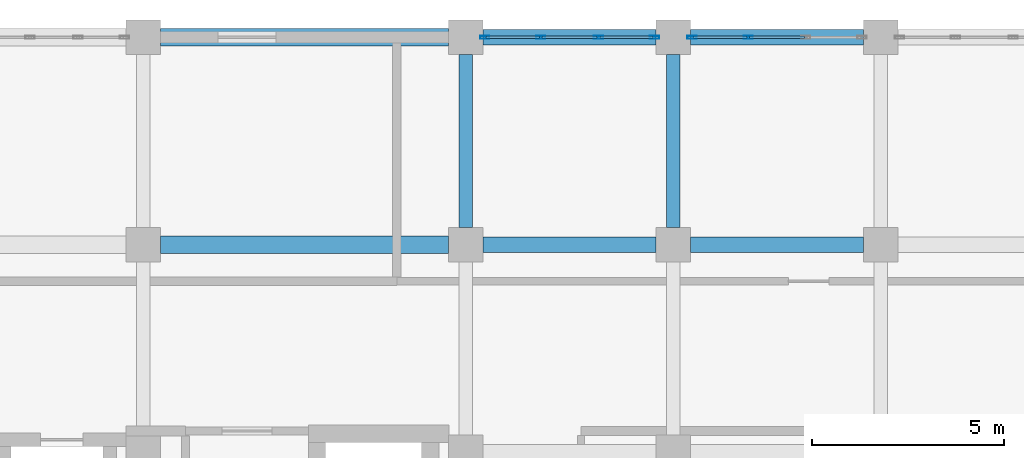
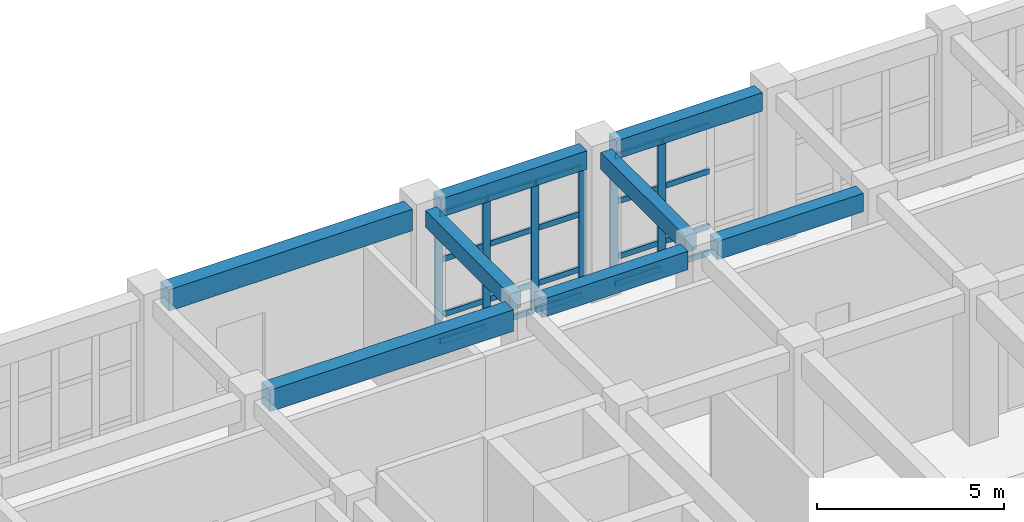
# One storey, part 64 of 106: 26 members, 8 beams, 2 elements without a shape of their own.
"""IFC4 building model written with IfcOpenShell, lengths in metres."""

from ifc_helpers import new_model, si_unit, direction, frame, origin, origin_2d, place, context, subcontext, project, spatial, rectangle, hollow_rectangle, extrude, material, layer, layer_set, material_profile, profile_set, type_object, element, aggregate, save


model = new_model("IFC4")

# Units and contexts
model_context = context("Model", 3, precision=1e-05, world=origin(), true_north=direction((0.0, 1.0)))
body_context = subcontext(model_context, "Body", "Model", "MODEL_VIEW")
ifc_project = project(units=[si_unit("LENGTHUNIT", "METRE"), si_unit("AREAUNIT", "SQUARE_METRE"), si_unit("VOLUMEUNIT", "CUBIC_METRE"), si_unit("PLANEANGLEUNIT", "RADIAN"), si_unit("MASSUNIT", "GRAM", prefix="KILO")], contexts=[model_context])

# Site, building, storey
site_placement = place(None, origin())
site = spatial("IfcSite", under=ifc_project, at=site_placement, CompositionType="ELEMENT")
building_placement = place(site_placement, origin())
building = spatial("IfcBuilding", under=site, at=building_placement, Name="Krzemoval Escarpment Law Courts", CompositionType="ELEMENT")
storey_placement = place(building_placement, frame((0.0, 0.0, 5.10009765625)))
storey = spatial("IfcBuildingStorey", under=building, at=storey_placement, Name="L01", CompositionType="ELEMENT", Elevation=5.10009765625)

# Beams
ifc_material_1 = material(Name="Concrete C40/50", Category="concrete")
ifc_material_profile_1 = material_profile(ifc_material_1, rectangle(XDim=0.35009765625, YDim=0.550048828125, at=origin_2d()), Name="RCB 350x550")
ifc_profile_set_1 = profile_set([ifc_material_profile_1], Name="Concrete C40/50")
beam_type_1 = type_object("IfcBeamType", Name="BM-RC-350x550", PredefinedType="BEAM", material=ifc_profile_set_1)
for number, where, z_axis, x_axis, name in (
    (1, (151.199951171875, 113.85009765625, 4.544921875), (0.0, 1.0, 0.0), (-1.0, 0.0, 0.0), "Beam FG-L01-1563"),
    (2, (156.60009765625, 113.85009765625, 4.544921875), (0.0, 1.0, 0.0), (-1.0, 0.0, 0.0), "Beam FG-L01-1571"),
):
    element("IfcBeam", number, at=place(storey_placement, frame(where, z_axis=z_axis, x_axis=x_axis)), inside=storey, type_object=beam_type_1, Name=name, PredefinedType="BEAM", context=body_context, shape_type="SweptSolid", body=[
        extrude(rectangle(XDim=0.35009765625, YDim=0.550048828125, at=origin_2d()), origin(), (0.0, 0.0, 1.0), 4.5),
    ])
ifc_material_2 = material(Name="Concrete C40/50", Category="concrete")
ifc_material_profile_2 = material_profile(ifc_material_2, rectangle(XDim=0.39990234375, YDim=0.60009765625, at=origin_2d()), Name="RCB 400x600")
ifc_profile_set_2 = profile_set([ifc_material_profile_2], Name="Concrete C40/50")
beam_type_2 = type_object("IfcBeamType", Name="BM-RC-400x600", PredefinedType="BEAM", material=ifc_profile_set_2)
for number, where, z_axis, x_axis, name in (
    (3, (151.64990234375, 113.39990234375, 4.52001953125), (1.0, 0.0, 0.0), (0.0, 1.0, 0.0), "Beam FG-L01-1355"),
    (4, (157.050048828125, 113.39990234375, 4.52001953125), (1.0, 0.0, 0.0), (0.0, 1.0, 0.0), "Beam FG-L01-1356"),
    (5, (151.64990234375, 118.800048828125, 4.52001953125), (1.0, 0.0, 0.0), (0.0, 1.0, 0.0), "Beam FG-L01-1367"),
    (6, (157.050048828125, 118.800048828125, 4.52001953125), (1.0, 0.0, 0.0), (0.0, 1.0, 0.0), "Beam FG-L01-1368"),
):
    element("IfcBeam", number, at=place(storey_placement, frame(where, z_axis=z_axis, x_axis=x_axis)), inside=storey, type_object=beam_type_2, Name=name, PredefinedType="BEAM", context=body_context, shape_type="SweptSolid", body=[
        extrude(rectangle(XDim=0.39990234375, YDim=0.60009765625, at=origin_2d()), origin(), (0.0, 0.0, 1.0), 4.5),
    ])
ifc_material_3 = material(Name="Concrete C40/50", Category="concrete")
ifc_material_profile_3 = material_profile(ifc_material_3, rectangle(XDim=0.449951171875, YDim=0.699951171875, at=origin_2d()), Name="RCB 450x700")
ifc_profile_set_3 = profile_set([ifc_material_profile_3], Name="Concrete C40/50")
beam_type_3 = type_object("IfcBeamType", Name="BM-RC-450x700", PredefinedType="BEAM", material=ifc_profile_set_3)
for number, where, z_axis, x_axis, name in (
    (7, (143.25, 113.39990234375, 4.469970703125), (1.0, 0.0, 0.0), (0.0, 1.0, 0.0), "Beam FG-L01-1354"),
    (8, (143.25, 118.800048828125, 4.469970703125), (1.0, 0.0, 0.0), (0.0, 1.0, 0.0), "Beam FG-L01-1366"),
):
    element("IfcBeam", number, at=place(storey_placement, frame(where, z_axis=z_axis, x_axis=x_axis)), inside=storey, type_object=beam_type_3, Name=name, PredefinedType="BEAM", context=body_context, shape_type="SweptSolid", body=[
        extrude(rectangle(XDim=0.449951171875, YDim=0.699951171875, at=origin_2d()), origin(), (0.0, 0.0, 1.0), 7.5),
    ])

# Curtain wall, members
ifc_material_4 = material(Name="Aluminium 6063-T6", Category="aluminium")
ifc_layer = layer(ifc_material_4, 0.239990234375)
ifc_layer_set = layer_set([ifc_layer], Name="Aluminium 6063-T6")
curtain_wall_type = type_object("IfcCurtainWallType", Name="CW-CHMB-4800", PredefinedType="USERDEFINED", material=ifc_layer_set)
curtain_wall_1_placement = place(storey_placement, origin())
curtain_wall_1 = element("IfcCurtainWall", 9, at=curtain_wall_1_placement, inside=storey, type_object=curtain_wall_type, Name="Unitised Curtain Wall FCW-L01-034", ObjectType="UNITISED_CURTAIN_WALL", PredefinedType="USERDEFINED")
ifc_material_5 = material(Name="Aluminium 6063-T6", Category="aluminium")
ifc_material_profile_4 = material_profile(ifc_material_5, hollow_rectangle(XDim=0.074951171875, YDim=0.239990234375, WallThickness=0.0048828125, at=origin_2d()), Name="ALU M75x240")
ifc_profile_set_4 = profile_set([ifc_material_profile_4], Name="Aluminium 6063-T6")
member_type_1 = type_object("IfcMemberType", Name="CWM-75x240", PredefinedType="MULLION", material=ifc_profile_set_4)
member_1_placement = place(storey_placement, frame((151.6875, 118.800048828125, 0.0), z_axis=(0.0, 0.0, 1.0), x_axis=(0.0, 1.0, 0.0)))
member_1 = element("IfcMember", 10, at=member_1_placement, type_object=member_type_1, Name="FCW-L01-034 mullion 1", PredefinedType="MULLION", context=body_context, shape_type="SweptSolid", body=[
    extrude(hollow_rectangle(XDim=0.074951171875, YDim=0.239990234375, WallThickness=0.0048828125, at=origin_2d()), origin(), (0.0, 0.0, 1.0), 4.219970703125),
])
member_2_placement = place(storey_placement, frame((153.14990234375, 118.800048828125, 0.0), z_axis=(0.0, 0.0, 1.0), x_axis=(0.0, 1.0, 0.0)))
member_2 = element("IfcMember", 11, at=member_2_placement, type_object=member_type_1, Name="FCW-L01-034 mullion 2", PredefinedType="MULLION", context=body_context, shape_type="SweptSolid", body=[
    extrude(hollow_rectangle(XDim=0.074951171875, YDim=0.239990234375, WallThickness=0.0048828125, at=origin_2d()), origin(), (0.0, 0.0, 1.0), 4.219970703125),
])
member_3_placement = place(storey_placement, frame((154.64990234375, 118.800048828125, 0.0), z_axis=(0.0, 0.0, 1.0), x_axis=(0.0, 1.0, 0.0)))
member_3 = element("IfcMember", 12, at=member_3_placement, type_object=member_type_1, Name="FCW-L01-034 mullion 3", PredefinedType="MULLION", context=body_context, shape_type="SweptSolid", body=[
    extrude(hollow_rectangle(XDim=0.074951171875, YDim=0.239990234375, WallThickness=0.0048828125, at=origin_2d()), origin(), (0.0, 0.0, 1.0), 4.219970703125),
])
member_4_placement = place(storey_placement, frame((156.112548828125, 118.800048828125, 0.0), z_axis=(0.0, 0.0, 1.0), x_axis=(0.0, 1.0, 0.0)))
member_4 = element("IfcMember", 13, at=member_4_placement, type_object=member_type_1, Name="FCW-L01-034 mullion 4", PredefinedType="MULLION", context=body_context, shape_type="SweptSolid", body=[
    extrude(hollow_rectangle(XDim=0.074951171875, YDim=0.239990234375, WallThickness=0.0048828125, at=origin_2d()), origin(), (0.0, 0.0, 1.0), 4.219970703125),
])

curtain_wall_2_placement = place(storey_placement, origin())
curtain_wall_2 = element("IfcCurtainWall", 14, at=curtain_wall_2_placement, inside=storey, type_object=curtain_wall_type, Name="Unitised Curtain Wall FCW-L01-035", ObjectType="UNITISED_CURTAIN_WALL", PredefinedType="USERDEFINED")
member_5_placement = place(storey_placement, frame((157.08740234375, 118.800048828125, 0.0), z_axis=(0.0, 0.0, 1.0), x_axis=(0.0, 1.0, 0.0)))
member_5 = element("IfcMember", 15, at=member_5_placement, type_object=member_type_1, Name="FCW-L01-035 mullion 1", PredefinedType="MULLION", context=body_context, shape_type="SweptSolid", body=[
    extrude(hollow_rectangle(XDim=0.074951171875, YDim=0.239990234375, WallThickness=0.0048828125, at=origin_2d()), origin(), (0.0, 0.0, 1.0), 4.219970703125),
])
member_6_placement = place(storey_placement, frame((158.550048828125, 118.800048828125, 0.0), z_axis=(0.0, 0.0, 1.0), x_axis=(0.0, 1.0, 0.0)))
member_6 = element("IfcMember", 16, at=member_6_placement, type_object=member_type_1, Name="FCW-L01-035 mullion 2", PredefinedType="MULLION", context=body_context, shape_type="SweptSolid", body=[
    extrude(hollow_rectangle(XDim=0.074951171875, YDim=0.239990234375, WallThickness=0.0048828125, at=origin_2d()), origin(), (0.0, 0.0, 1.0), 4.219970703125),
])

# Member
ifc_material_6 = material(Name="Aluminium 6063-T6", Category="aluminium")
ifc_material_profile_5 = material_profile(ifc_material_6, hollow_rectangle(XDim=0.074951171875, YDim=0.179931640625, WallThickness=0.0048828125, at=origin_2d()), Name="ALU T75x180")
ifc_profile_set_5 = profile_set([ifc_material_profile_5], Name="Aluminium 6063-T6")
member_type_2 = type_object("IfcMemberType", Name="CWT-75x180", PredefinedType="USERDEFINED", material=ifc_profile_set_5)
member_7_placement = place(storey_placement, frame((151.72509765625, 118.800048828125, 0.037353515625), z_axis=(1.0, 0.0, 0.0), x_axis=(0.0, 1.0, 0.0)))
member_7 = element("IfcMember", 17, at=member_7_placement, type_object=member_type_2, Name="FCW-L01-034 transom 1.1", ObjectType="TRANSOM", PredefinedType="USERDEFINED", context=body_context, shape_type="SweptSolid", body=[
    extrude(hollow_rectangle(XDim=0.074951171875, YDim=0.179931640625, WallThickness=0.0048828125, at=origin_2d()), origin(), (0.0, 0.0, 1.0), 1.387451171875),
])

member_8_placement = place(storey_placement, frame((151.72509765625, 118.800048828125, 0.89990234375), z_axis=(1.0, 0.0, 0.0), x_axis=(0.0, 1.0, 0.0)))
member_8 = element("IfcMember", 18, at=member_8_placement, type_object=member_type_2, Name="FCW-L01-034 transom 1.2", ObjectType="TRANSOM", PredefinedType="USERDEFINED", context=body_context, shape_type="SweptSolid", body=[
    extrude(hollow_rectangle(XDim=0.074951171875, YDim=0.179931640625, WallThickness=0.0048828125, at=origin_2d()), origin(), (0.0, 0.0, 1.0), 1.387451171875),
])

member_9_placement = place(storey_placement, frame((151.72509765625, 118.800048828125, 2.699951171875), z_axis=(1.0, 0.0, 0.0), x_axis=(0.0, 1.0, 0.0)))
member_9 = element("IfcMember", 19, at=member_9_placement, type_object=member_type_2, Name="FCW-L01-034 transom 1.3", ObjectType="TRANSOM", PredefinedType="USERDEFINED", context=body_context, shape_type="SweptSolid", body=[
    extrude(hollow_rectangle(XDim=0.074951171875, YDim=0.179931640625, WallThickness=0.0048828125, at=origin_2d()), origin(), (0.0, 0.0, 1.0), 1.387451171875),
])

member_10_placement = place(storey_placement, frame((151.72509765625, 118.800048828125, 4.182373046875), z_axis=(1.0, 0.0, 0.0), x_axis=(0.0, 1.0, 0.0)))
member_10 = element("IfcMember", 20, at=member_10_placement, type_object=member_type_2, Name="FCW-L01-034 transom 1.4", ObjectType="TRANSOM", PredefinedType="USERDEFINED", context=body_context, shape_type="SweptSolid", body=[
    extrude(hollow_rectangle(XDim=0.074951171875, YDim=0.179931640625, WallThickness=0.0048828125, at=origin_2d()), origin(), (0.0, 0.0, 1.0), 1.387451171875),
])

member_11_placement = place(storey_placement, frame((153.1875, 118.800048828125, 0.037353515625), z_axis=(1.0, 0.0, 0.0), x_axis=(0.0, 1.0, 0.0)))
member_11 = element("IfcMember", 21, at=member_11_placement, type_object=member_type_2, Name="FCW-L01-034 transom 2.1", ObjectType="TRANSOM", PredefinedType="USERDEFINED", context=body_context, shape_type="SweptSolid", body=[
    extrude(hollow_rectangle(XDim=0.074951171875, YDim=0.179931640625, WallThickness=0.0048828125, at=origin_2d()), origin(), (0.0, 0.0, 1.0), 1.425048828125),
])

member_12_placement = place(storey_placement, frame((153.1875, 118.800048828125, 0.89990234375), z_axis=(1.0, 0.0, 0.0), x_axis=(0.0, 1.0, 0.0)))
member_12 = element("IfcMember", 22, at=member_12_placement, type_object=member_type_2, Name="FCW-L01-034 transom 2.2", ObjectType="TRANSOM", PredefinedType="USERDEFINED", context=body_context, shape_type="SweptSolid", body=[
    extrude(hollow_rectangle(XDim=0.074951171875, YDim=0.179931640625, WallThickness=0.0048828125, at=origin_2d()), origin(), (0.0, 0.0, 1.0), 1.425048828125),
])

member_13_placement = place(storey_placement, frame((153.1875, 118.800048828125, 2.699951171875), z_axis=(1.0, 0.0, 0.0), x_axis=(0.0, 1.0, 0.0)))
member_13 = element("IfcMember", 23, at=member_13_placement, type_object=member_type_2, Name="FCW-L01-034 transom 2.3", ObjectType="TRANSOM", PredefinedType="USERDEFINED", context=body_context, shape_type="SweptSolid", body=[
    extrude(hollow_rectangle(XDim=0.074951171875, YDim=0.179931640625, WallThickness=0.0048828125, at=origin_2d()), origin(), (0.0, 0.0, 1.0), 1.425048828125),
])

member_14_placement = place(storey_placement, frame((153.1875, 118.800048828125, 4.182373046875), z_axis=(1.0, 0.0, 0.0), x_axis=(0.0, 1.0, 0.0)))
member_14 = element("IfcMember", 24, at=member_14_placement, type_object=member_type_2, Name="FCW-L01-034 transom 2.4", ObjectType="TRANSOM", PredefinedType="USERDEFINED", context=body_context, shape_type="SweptSolid", body=[
    extrude(hollow_rectangle(XDim=0.074951171875, YDim=0.179931640625, WallThickness=0.0048828125, at=origin_2d()), origin(), (0.0, 0.0, 1.0), 1.425048828125),
])

member_15_placement = place(storey_placement, frame((154.6875, 118.800048828125, 0.037353515625), z_axis=(1.0, 0.0, 0.0), x_axis=(0.0, 1.0, 0.0)))
member_15 = element("IfcMember", 25, at=member_15_placement, type_object=member_type_2, Name="FCW-L01-034 transom 3.1", ObjectType="TRANSOM", PredefinedType="USERDEFINED", context=body_context, shape_type="SweptSolid", body=[
    extrude(hollow_rectangle(XDim=0.074951171875, YDim=0.179931640625, WallThickness=0.0048828125, at=origin_2d()), origin(), (0.0, 0.0, 1.0), 1.387451171875),
])

member_16_placement = place(storey_placement, frame((154.6875, 118.800048828125, 0.89990234375), z_axis=(1.0, 0.0, 0.0), x_axis=(0.0, 1.0, 0.0)))
member_16 = element("IfcMember", 26, at=member_16_placement, type_object=member_type_2, Name="FCW-L01-034 transom 3.2", ObjectType="TRANSOM", PredefinedType="USERDEFINED", context=body_context, shape_type="SweptSolid", body=[
    extrude(hollow_rectangle(XDim=0.074951171875, YDim=0.179931640625, WallThickness=0.0048828125, at=origin_2d()), origin(), (0.0, 0.0, 1.0), 1.387451171875),
])

member_17_placement = place(storey_placement, frame((154.6875, 118.800048828125, 2.699951171875), z_axis=(1.0, 0.0, 0.0), x_axis=(0.0, 1.0, 0.0)))
member_17 = element("IfcMember", 27, at=member_17_placement, type_object=member_type_2, Name="FCW-L01-034 transom 3.3", ObjectType="TRANSOM", PredefinedType="USERDEFINED", context=body_context, shape_type="SweptSolid", body=[
    extrude(hollow_rectangle(XDim=0.074951171875, YDim=0.179931640625, WallThickness=0.0048828125, at=origin_2d()), origin(), (0.0, 0.0, 1.0), 1.387451171875),
])

member_18_placement = place(storey_placement, frame((154.6875, 118.800048828125, 4.182373046875), z_axis=(1.0, 0.0, 0.0), x_axis=(0.0, 1.0, 0.0)))
member_18 = element("IfcMember", 28, at=member_18_placement, type_object=member_type_2, Name="FCW-L01-034 transom 3.4", ObjectType="TRANSOM", PredefinedType="USERDEFINED", context=body_context, shape_type="SweptSolid", body=[
    extrude(hollow_rectangle(XDim=0.074951171875, YDim=0.179931640625, WallThickness=0.0048828125, at=origin_2d()), origin(), (0.0, 0.0, 1.0), 1.387451171875),
])

aggregate(curtain_wall_1, [member_1, member_2, member_3, member_4, member_7, member_8, member_9, member_10, member_11, member_12, member_13, member_14, member_15, member_16, member_17, member_18])

member_19_placement = place(storey_placement, frame((157.125, 118.800048828125, 0.037353515625), z_axis=(1.0, 0.0, 0.0), x_axis=(0.0, 1.0, 0.0)))
member_19 = element("IfcMember", 29, at=member_19_placement, type_object=member_type_2, Name="FCW-L01-035 transom 1.1", ObjectType="TRANSOM", PredefinedType="USERDEFINED", context=body_context, shape_type="SweptSolid", body=[
    extrude(hollow_rectangle(XDim=0.074951171875, YDim=0.179931640625, WallThickness=0.0048828125, at=origin_2d()), origin(), (0.0, 0.0, 1.0), 1.387451171875),
])

member_20_placement = place(storey_placement, frame((157.125, 118.800048828125, 0.89990234375), z_axis=(1.0, 0.0, 0.0), x_axis=(0.0, 1.0, 0.0)))
member_20 = element("IfcMember", 30, at=member_20_placement, type_object=member_type_2, Name="FCW-L01-035 transom 1.2", ObjectType="TRANSOM", PredefinedType="USERDEFINED", context=body_context, shape_type="SweptSolid", body=[
    extrude(hollow_rectangle(XDim=0.074951171875, YDim=0.179931640625, WallThickness=0.0048828125, at=origin_2d()), origin(), (0.0, 0.0, 1.0), 1.387451171875),
])

member_21_placement = place(storey_placement, frame((157.125, 118.800048828125, 2.699951171875), z_axis=(1.0, 0.0, 0.0), x_axis=(0.0, 1.0, 0.0)))
member_21 = element("IfcMember", 31, at=member_21_placement, type_object=member_type_2, Name="FCW-L01-035 transom 1.3", ObjectType="TRANSOM", PredefinedType="USERDEFINED", context=body_context, shape_type="SweptSolid", body=[
    extrude(hollow_rectangle(XDim=0.074951171875, YDim=0.179931640625, WallThickness=0.0048828125, at=origin_2d()), origin(), (0.0, 0.0, 1.0), 1.387451171875),
])

member_22_placement = place(storey_placement, frame((157.125, 118.800048828125, 4.182373046875), z_axis=(1.0, 0.0, 0.0), x_axis=(0.0, 1.0, 0.0)))
member_22 = element("IfcMember", 32, at=member_22_placement, type_object=member_type_2, Name="FCW-L01-035 transom 1.4", ObjectType="TRANSOM", PredefinedType="USERDEFINED", context=body_context, shape_type="SweptSolid", body=[
    extrude(hollow_rectangle(XDim=0.074951171875, YDim=0.179931640625, WallThickness=0.0048828125, at=origin_2d()), origin(), (0.0, 0.0, 1.0), 1.387451171875),
])

member_23_placement = place(storey_placement, frame((158.58740234375, 118.800048828125, 0.037353515625), z_axis=(1.0, 0.0, 0.0), x_axis=(0.0, 1.0, 0.0)))
member_23 = element("IfcMember", 33, at=member_23_placement, type_object=member_type_2, Name="FCW-L01-035 transom 2.1", ObjectType="TRANSOM", PredefinedType="USERDEFINED", context=body_context, shape_type="SweptSolid", body=[
    extrude(hollow_rectangle(XDim=0.074951171875, YDim=0.179931640625, WallThickness=0.0048828125, at=origin_2d()), origin(), (0.0, 0.0, 1.0), 1.425048828125),
])

member_24_placement = place(storey_placement, frame((158.58740234375, 118.800048828125, 0.89990234375), z_axis=(1.0, 0.0, 0.0), x_axis=(0.0, 1.0, 0.0)))
member_24 = element("IfcMember", 34, at=member_24_placement, type_object=member_type_2, Name="FCW-L01-035 transom 2.2", ObjectType="TRANSOM", PredefinedType="USERDEFINED", context=body_context, shape_type="SweptSolid", body=[
    extrude(hollow_rectangle(XDim=0.074951171875, YDim=0.179931640625, WallThickness=0.0048828125, at=origin_2d()), origin(), (0.0, 0.0, 1.0), 1.425048828125),
])

member_25_placement = place(storey_placement, frame((158.58740234375, 118.800048828125, 2.699951171875), z_axis=(1.0, 0.0, 0.0), x_axis=(0.0, 1.0, 0.0)))
member_25 = element("IfcMember", 35, at=member_25_placement, type_object=member_type_2, Name="FCW-L01-035 transom 2.3", ObjectType="TRANSOM", PredefinedType="USERDEFINED", context=body_context, shape_type="SweptSolid", body=[
    extrude(hollow_rectangle(XDim=0.074951171875, YDim=0.179931640625, WallThickness=0.0048828125, at=origin_2d()), origin(), (0.0, 0.0, 1.0), 1.425048828125),
])

member_26_placement = place(storey_placement, frame((158.58740234375, 118.800048828125, 4.182373046875), z_axis=(1.0, 0.0, 0.0), x_axis=(0.0, 1.0, 0.0)))
member_26 = element("IfcMember", 36, at=member_26_placement, type_object=member_type_2, Name="FCW-L01-035 transom 2.4", ObjectType="TRANSOM", PredefinedType="USERDEFINED", context=body_context, shape_type="SweptSolid", body=[
    extrude(hollow_rectangle(XDim=0.074951171875, YDim=0.179931640625, WallThickness=0.0048828125, at=origin_2d()), origin(), (0.0, 0.0, 1.0), 1.425048828125),
])

aggregate(curtain_wall_2, [member_5, member_6, member_19, member_20, member_21, member_22, member_23, member_24, member_25, member_26])

save(model, "model.ifc")
